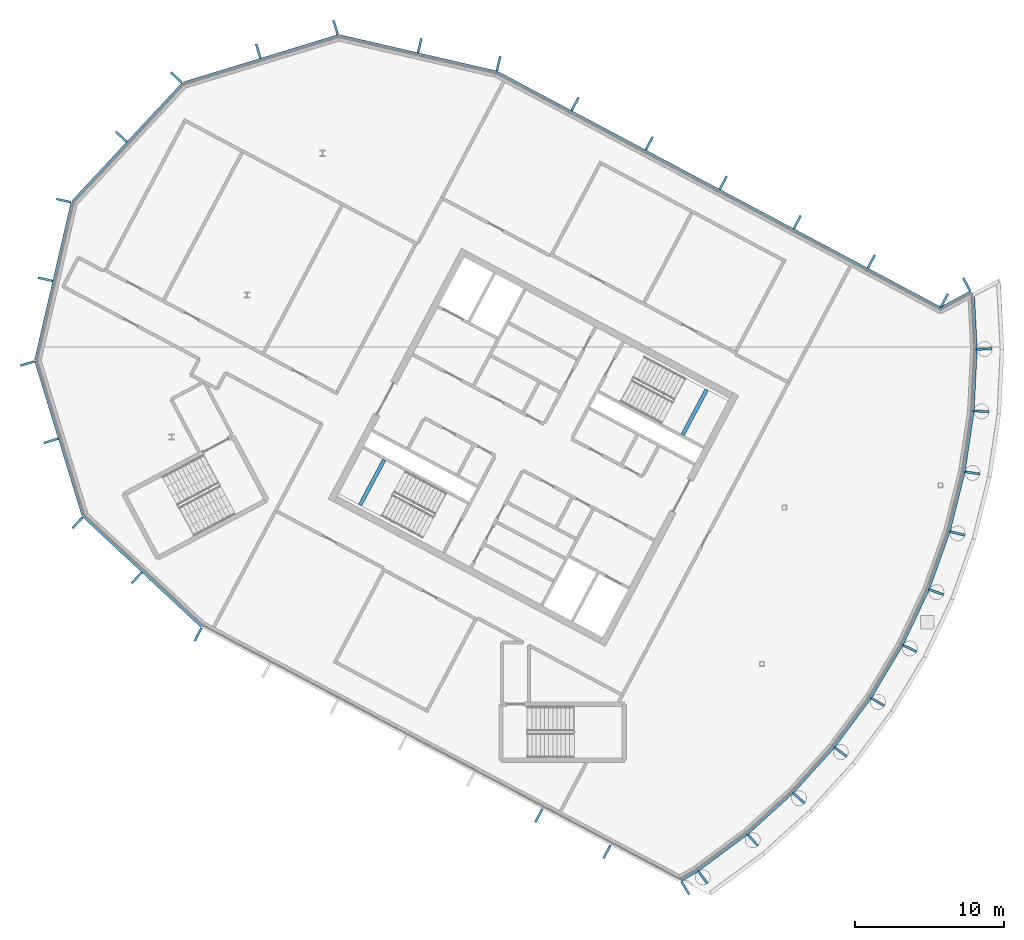
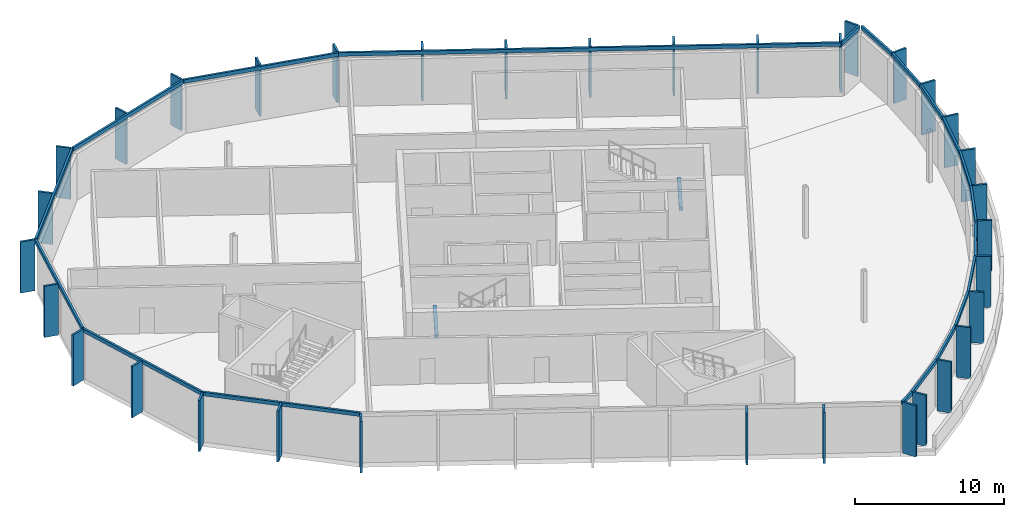
# One storey, part 4 of 15: 54 members, 2 beams, 21 elements without a shape of their own.
"""IFC4 building model written with IfcOpenShell, lengths in metres."""

from ifc_helpers import new_model, si_unit, direction, frame, origin, origin_2d, place, context, subcontext, project, spatial, rectangle, extrude, material, layer, layer_set, material_profile, profile_set, type_object, element, aggregate, save


model = new_model("IFC4")

# Units and contexts
model_context = context("Model", 3, precision=1e-05, world=origin(), true_north=direction((0.0, 1.0)))
body_context = subcontext(model_context, "Body", "Model", "MODEL_VIEW")
ifc_project = project(units=[si_unit("LENGTHUNIT", "METRE"), si_unit("AREAUNIT", "SQUARE_METRE"), si_unit("VOLUMEUNIT", "CUBIC_METRE"), si_unit("PLANEANGLEUNIT", "RADIAN"), si_unit("MASSUNIT", "GRAM", prefix="KILO")], contexts=[model_context])

# Site, building, storey
site_placement = place(None, origin())
site = spatial("IfcSite", under=ifc_project, at=site_placement, CompositionType="ELEMENT")
building_placement = place(site_placement, origin())
building = spatial("IfcBuilding", under=site, at=building_placement, Name="Cormorant Relay Tower", CompositionType="ELEMENT")
storey_placement = place(building_placement, frame((0.0, 0.0, 336.60009765625)))
storey = spatial("IfcBuildingStorey", under=building, at=storey_placement, Name="C3", CompositionType="ELEMENT", Elevation=336.60009765625)

# Curtain wall, members
ifc_material_1 = material(Name="Aluminium 6063-T6 anodised bronze", Category="aluminium")
ifc_layer = layer(ifc_material_1, 0.199951171875)
ifc_layer_set = layer_set([ifc_layer], Name="CW3 crown screen wall")
curtain_wall_type = type_object("IfcCurtainWallType", Name="CW3 crown screen wall", PredefinedType="NOTDEFINED", material=ifc_layer_set)
curtain_wall_1_placement = place(storey_placement, origin())
curtain_wall_1 = element("IfcCurtainWall", 1, at=curtain_wall_1_placement, inside=storey, type_object=curtain_wall_type, Name="CW3 curtain wall 1", PredefinedType="NOTDEFINED")
ifc_material_2 = material(Name="Aluminium 6063-T6 anodised bronze", Category="aluminium")
ifc_material_profile_1 = material_profile(ifc_material_2, rectangle(XDim=0.14990234375, YDim=1.0, at=origin_2d()), Name="AL 150x1000")
ifc_profile_set_1 = profile_set([ifc_material_profile_1], Name="Aluminium 6063-T6 anodised bronze")
member_type_1 = type_object("IfcMemberType", Name="CW3 bronze fin mullion 150 x 1000", PredefinedType="MULLION", material=ifc_profile_set_1)
member_1_placement = place(storey_placement, frame((-49.920166015625, 1.96630859375, 0.0), z_axis=(0.0, 0.0, 1.0), x_axis=(0.882947592859, -0.469471562786, 0.0)))
member_1 = element("IfcMember", 2, at=member_1_placement, type_object=member_type_1, Name="CW3 fin 1.1", PredefinedType="MULLION", context=body_context, shape_type="SweptSolid", body=[
    extrude(rectangle(XDim=0.14990234375, YDim=1.0, at=origin_2d()), origin(), (0.0, 0.0, 1.0), 4.199951171875),
])
member_2_placement = place(storey_placement, frame((-27.012451171875, -10.214111328125, 0.0), z_axis=(0.0, 0.0, 1.0), x_axis=(0.882947592859, -0.469471562786, 0.0)))
member_2 = element("IfcMember", 3, at=member_2_placement, type_object=member_type_1, Name="CW3 fin 1.6", PredefinedType="MULLION", context=body_context, shape_type="SweptSolid", body=[
    extrude(rectangle(XDim=0.14990234375, YDim=1.0, at=origin_2d()), origin(), (0.0, 0.0, 1.0), 4.199951171875),
])
member_3_placement = place(storey_placement, frame((-22.430908203125, -12.64990234375, 0.0), z_axis=(0.0, 0.0, 1.0), x_axis=(0.882947592859, -0.469471562786, 0.0)))
member_3 = element("IfcMember", 4, at=member_3_placement, type_object=member_type_1, Name="CW3 fin 1.7", PredefinedType="MULLION", context=body_context, shape_type="SweptSolid", body=[
    extrude(rectangle(XDim=0.14990234375, YDim=1.0, at=origin_2d()), origin(), (0.0, 0.0, 1.0), 4.199951171875),
])
aggregate(curtain_wall_1, [member_1, member_2, member_3])

# Curtain wall, member
curtain_wall_2_placement = place(storey_placement, origin())
curtain_wall_2 = element("IfcCurtainWall", 5, at=curtain_wall_2_placement, inside=storey, type_object=curtain_wall_type, Name="CW3 curtain wall 2", PredefinedType="NOTDEFINED")
member_4_placement = place(storey_placement, frame((-17.160888671875, -15.068359375, 0.0), z_axis=(0.0, 0.0, 1.0), x_axis=(0.85772861, 0.514102744193, 0.0)))
member_4 = element("IfcMember", 6, at=member_4_placement, type_object=member_type_1, Name="CW3 fin 2.1", PredefinedType="MULLION", context=body_context, shape_type="SweptSolid", body=[
    extrude(rectangle(XDim=0.14990234375, YDim=1.0, at=origin_2d()), origin(), (0.0, 0.0, 1.0), 4.199951171875),
])

curtain_wall_3_placement = place(storey_placement, origin())
curtain_wall_3 = element("IfcCurtainWall", 7, at=curtain_wall_3_placement, inside=storey, type_object=curtain_wall_type, Name="CW3 curtain wall 3", PredefinedType="NOTDEFINED")
member_5_placement = place(storey_placement, frame((-15.981689453125, -14.357666015625, 0.0), z_axis=(0.0, 0.0, 1.0), x_axis=(0.803207531481, 0.595699304492, 0.0)))
member_5 = element("IfcMember", 8, at=member_5_placement, type_object=member_type_1, Name="CW3 fin 3.1", PredefinedType="MULLION", context=body_context, shape_type="SweptSolid", body=[
    extrude(rectangle(XDim=0.14990234375, YDim=1.0, at=origin_2d()), origin(), (0.0, 0.0, 1.0), 4.199951171875),
])

curtain_wall_4_placement = place(storey_placement, origin())
curtain_wall_4 = element("IfcCurtainWall", 9, at=curtain_wall_4_placement, inside=storey, type_object=curtain_wall_type, Name="CW3 curtain wall 4", PredefinedType="NOTDEFINED")
member_6_placement = place(storey_placement, frame((-12.617919921875, -11.85888671875, 0.0), z_axis=(0.0, 0.0, 1.0), x_axis=(0.740951125355, 0.671558954847, 0.0)))
member_6 = element("IfcMember", 10, at=member_6_placement, type_object=member_type_1, Name="CW3 fin 4.1", PredefinedType="MULLION", context=body_context, shape_type="SweptSolid", body=[
    extrude(rectangle(XDim=0.14990234375, YDim=1.0, at=origin_2d()), origin(), (0.0, 0.0, 1.0), 4.199951171875),
])

curtain_wall_5_placement = place(storey_placement, origin())
curtain_wall_5 = element("IfcCurtainWall", 11, at=curtain_wall_5_placement, inside=storey, type_object=curtain_wall_type, Name="CW3 curtain wall 5", PredefinedType="NOTDEFINED")
member_7_placement = place(storey_placement, frame((-9.515380859375, -9.04248046875, 0.0), z_axis=(0.0, 0.0, 1.0), x_axis=(0.671558954847, 0.740951125355, 0.0)))
member_7 = element("IfcMember", 12, at=member_7_placement, type_object=member_type_1, Name="CW3 fin 5.1", PredefinedType="MULLION", context=body_context, shape_type="SweptSolid", body=[
    extrude(rectangle(XDim=0.14990234375, YDim=1.0, at=origin_2d()), origin(), (0.0, 0.0, 1.0), 4.199951171875),
])

curtain_wall_6_placement = place(storey_placement, origin())
curtain_wall_6 = element("IfcCurtainWall", 13, at=curtain_wall_6_placement, inside=storey, type_object=curtain_wall_type, Name="CW3 curtain wall 6", PredefinedType="NOTDEFINED")
member_8_placement = place(storey_placement, frame((-6.7041015625, -5.935302734375, 0.0), z_axis=(0.0, 0.0, 1.0), x_axis=(0.595699304492, 0.803207531481, 0.0)))
member_8 = element("IfcMember", 14, at=member_8_placement, type_object=member_type_1, Name="CW3 fin 6.1", PredefinedType="MULLION", context=body_context, shape_type="SweptSolid", body=[
    extrude(rectangle(XDim=0.14990234375, YDim=1.0, at=origin_2d()), origin(), (0.0, 0.0, 1.0), 4.199951171875),
])

curtain_wall_7_placement = place(storey_placement, origin())
curtain_wall_7 = element("IfcCurtainWall", 15, at=curtain_wall_7_placement, inside=storey, type_object=curtain_wall_type, Name="CW3 curtain wall 7", PredefinedType="NOTDEFINED")
member_9_placement = place(storey_placement, frame((-4.21044921875, -2.567626953125, 0.0), z_axis=(0.0, 0.0, 1.0), x_axis=(0.514102744193, 0.85772861, 0.0)))
member_9 = element("IfcMember", 16, at=member_9_placement, type_object=member_type_1, Name="CW3 fin 7.1", PredefinedType="MULLION", context=body_context, shape_type="SweptSolid", body=[
    extrude(rectangle(XDim=0.14990234375, YDim=1.0, at=origin_2d()), origin(), (0.0, 0.0, 1.0), 4.199951171875),
])

curtain_wall_8_placement = place(storey_placement, origin())
curtain_wall_8 = element("IfcCurtainWall", 17, at=curtain_wall_8_placement, inside=storey, type_object=curtain_wall_type, Name="CW3 curtain wall 8", PredefinedType="NOTDEFINED")
member_10_placement = place(storey_placement, frame((-2.05908203125, 1.0283203125, 0.0), z_axis=(0.0, 0.0, 1.0), x_axis=(0.42755509343, 0.903989293123, 0.0)))
member_10 = element("IfcMember", 18, at=member_10_placement, type_object=member_type_1, Name="CW3 fin 8.1", PredefinedType="MULLION", context=body_context, shape_type="SweptSolid", body=[
    extrude(rectangle(XDim=0.14990234375, YDim=1.0, at=origin_2d()), origin(), (0.0, 0.0, 1.0), 4.199951171875),
])

curtain_wall_9_placement = place(storey_placement, origin())
curtain_wall_9 = element("IfcCurtainWall", 19, at=curtain_wall_9_placement, inside=storey, type_object=curtain_wall_type, Name="CW3 curtain wall 9", PredefinedType="NOTDEFINED")
member_11_placement = place(storey_placement, frame((-0.2705078125, 4.817626953125, 0.0), z_axis=(0.0, 0.0, 1.0), x_axis=(0.336889853392, 0.941544065183, 0.0)))
member_11 = element("IfcMember", 20, at=member_11_placement, type_object=member_type_1, Name="CW3 fin 9.1", PredefinedType="MULLION", context=body_context, shape_type="SweptSolid", body=[
    extrude(rectangle(XDim=0.14990234375, YDim=1.0, at=origin_2d()), origin(), (0.0, 0.0, 1.0), 4.199951171875),
])

curtain_wall_10_placement = place(storey_placement, origin())
curtain_wall_10 = element("IfcCurtainWall", 21, at=curtain_wall_10_placement, inside=storey, type_object=curtain_wall_type, Name="CW3 curtain wall 10", PredefinedType="NOTDEFINED")
member_12_placement = place(storey_placement, frame((1.137939453125, 8.76416015625, 0.0), z_axis=(0.0, 0.0, 1.0), x_axis=(0.242980179903, 0.970031253195, 0.0)))
member_12 = element("IfcMember", 22, at=member_12_placement, type_object=member_type_1, Name="CW3 fin 10.1", PredefinedType="MULLION", context=body_context, shape_type="SweptSolid", body=[
    extrude(rectangle(XDim=0.14990234375, YDim=1.0, at=origin_2d()), origin(), (0.0, 0.0, 1.0), 4.199951171875),
])

curtain_wall_11_placement = place(storey_placement, origin())
curtain_wall_11 = element("IfcCurtainWall", 23, at=curtain_wall_11_placement, inside=storey, type_object=curtain_wall_type, Name="CW3 curtain wall 11", PredefinedType="NOTDEFINED")
member_13_placement = place(storey_placement, frame((2.15283203125, 12.82958984375, 0.0), z_axis=(0.0, 0.0, 1.0), x_axis=(0.146730474455, 0.989176509965, 0.0)))
member_13 = element("IfcMember", 24, at=member_13_placement, type_object=member_type_1, Name="CW3 fin 11.1", PredefinedType="MULLION", context=body_context, shape_type="SweptSolid", body=[
    extrude(rectangle(XDim=0.14990234375, YDim=1.0, at=origin_2d()), origin(), (0.0, 0.0, 1.0), 4.199951171875),
])

curtain_wall_12_placement = place(storey_placement, origin())
curtain_wall_12 = element("IfcCurtainWall", 25, at=curtain_wall_12_placement, inside=storey, type_object=curtain_wall_type, Name="CW3 curtain wall 12", PredefinedType="NOTDEFINED")
member_14_placement = place(storey_placement, frame((2.764404296875, 16.97509765625, 0.0), z_axis=(0.0, 0.0, 1.0), x_axis=(0.049067674327, 0.998795456205, 0.0)))
member_14 = element("IfcMember", 26, at=member_14_placement, type_object=member_type_1, Name="CW3 fin 12.1", PredefinedType="MULLION", context=body_context, shape_type="SweptSolid", body=[
    extrude(rectangle(XDim=0.14990234375, YDim=1.0, at=origin_2d()), origin(), (0.0, 0.0, 1.0), 4.199951171875),
])

curtain_wall_13_placement = place(storey_placement, origin())
curtain_wall_13 = element("IfcCurtainWall", 27, at=curtain_wall_13_placement, inside=storey, type_object=curtain_wall_type, Name="CW3 curtain wall 13", PredefinedType="NOTDEFINED")
member_15_placement = place(storey_placement, frame((2.966552734375, 21.16064453125, 0.0), z_axis=(0.0, 0.0, 1.0), x_axis=(-0.049067674327, 0.998795456205, 0.0)))
member_15 = element("IfcMember", 28, at=member_15_placement, type_object=member_type_1, Name="CW3 fin 13.1", PredefinedType="MULLION", context=body_context, shape_type="SweptSolid", body=[
    extrude(rectangle(XDim=0.14990234375, YDim=1.0, at=origin_2d()), origin(), (0.0, 0.0, 1.0), 4.199951171875),
])

curtain_wall_14_placement = place(storey_placement, origin())
curtain_wall_14 = element("IfcCurtainWall", 29, at=curtain_wall_14_placement, inside=storey, type_object=curtain_wall_type, Name="CW3 curtain wall 14", PredefinedType="NOTDEFINED")
member_16_placement = place(storey_placement, frame((1.75390625, 25.50927734375, 0.0), z_axis=(0.0, 0.0, 1.0), x_axis=(-0.882947592859, -0.469471562786, 0.0)))
member_16 = element("IfcMember", 30, at=member_16_placement, type_object=member_type_1, Name="CW3 fin 14.1", PredefinedType="MULLION", context=body_context, shape_type="SweptSolid", body=[
    extrude(rectangle(XDim=0.14990234375, YDim=1.0, at=origin_2d()), origin(), (0.0, 0.0, 1.0), 4.199951171875),
])

# Curtain wall, members
curtain_wall_15_placement = place(storey_placement, origin())
curtain_wall_15 = element("IfcCurtainWall", 31, at=curtain_wall_15_placement, inside=storey, type_object=curtain_wall_type, Name="CW3 curtain wall 15", PredefinedType="NOTDEFINED")
member_17_placement = place(storey_placement, frame((0.262451171875, 24.437255859375, 0.0), z_axis=(0.0, 0.0, 1.0), x_axis=(-0.882947592859, 0.469471562786, 0.0)))
member_17 = element("IfcMember", 32, at=member_17_placement, type_object=member_type_1, Name="CW3 fin 15.1", PredefinedType="MULLION", context=body_context, shape_type="SweptSolid", body=[
    extrude(rectangle(XDim=0.14990234375, YDim=1.0, at=origin_2d()), origin(), (0.0, 0.0, 1.0), 4.199951171875),
])
member_18_placement = place(storey_placement, frame((-4.650390625, 27.04931640625, 0.0), z_axis=(0.0, 0.0, 1.0), x_axis=(-0.882947592859, 0.469471562786, 0.0)))
member_18 = element("IfcMember", 33, at=member_18_placement, type_object=member_type_1, Name="CW3 fin 15.2", PredefinedType="MULLION", context=body_context, shape_type="SweptSolid", body=[
    extrude(rectangle(XDim=0.14990234375, YDim=1.0, at=origin_2d()), origin(), (0.0, 0.0, 1.0), 4.199951171875),
])
member_19_placement = place(storey_placement, frame((-9.62939453125, 29.69677734375, 0.0), z_axis=(0.0, 0.0, 1.0), x_axis=(-0.882947592859, 0.469471562786, 0.0)))
member_19 = element("IfcMember", 34, at=member_19_placement, type_object=member_type_1, Name="CW3 fin 15.3", PredefinedType="MULLION", context=body_context, shape_type="SweptSolid", body=[
    extrude(rectangle(XDim=0.14990234375, YDim=1.0, at=origin_2d()), origin(), (0.0, 0.0, 1.0), 4.199951171875),
])
member_20_placement = place(storey_placement, frame((-14.608154296875, 32.343994140625, 0.0), z_axis=(0.0, 0.0, 1.0), x_axis=(-0.882947592859, 0.469471562786, 0.0)))
member_20 = element("IfcMember", 35, at=member_20_placement, type_object=member_type_1, Name="CW3 fin 15.4", PredefinedType="MULLION", context=body_context, shape_type="SweptSolid", body=[
    extrude(rectangle(XDim=0.14990234375, YDim=1.0, at=origin_2d()), origin(), (0.0, 0.0, 1.0), 4.199951171875),
])
member_21_placement = place(storey_placement, frame((-19.587158203125, 34.991455078125, 0.0), z_axis=(0.0, 0.0, 1.0), x_axis=(-0.882947592859, 0.469471562786, 0.0)))
member_21 = element("IfcMember", 36, at=member_21_placement, type_object=member_type_1, Name="CW3 fin 15.5", PredefinedType="MULLION", context=body_context, shape_type="SweptSolid", body=[
    extrude(rectangle(XDim=0.14990234375, YDim=1.0, at=origin_2d()), origin(), (0.0, 0.0, 1.0), 4.199951171875),
])
member_22_placement = place(storey_placement, frame((-24.566162109375, 37.638916015625, 0.0), z_axis=(0.0, 0.0, 1.0), x_axis=(-0.882947592859, 0.469471562786, 0.0)))
member_22 = element("IfcMember", 37, at=member_22_placement, type_object=member_type_1, Name="CW3 fin 15.6", PredefinedType="MULLION", context=body_context, shape_type="SweptSolid", body=[
    extrude(rectangle(XDim=0.14990234375, YDim=1.0, at=origin_2d()), origin(), (0.0, 0.0, 1.0), 4.199951171875),
])

curtain_wall_16_placement = place(storey_placement, origin())
curtain_wall_16 = element("IfcCurtainWall", 38, at=curtain_wall_16_placement, inside=storey, type_object=curtain_wall_type, Name="CW3 curtain wall 16", PredefinedType="NOTDEFINED")
member_23_placement = place(storey_placement, frame((-29.71630859375, 40.35009765625, 0.0), z_axis=(0.0, 0.0, 1.0), x_axis=(-0.974370064785, 0.224951054344, 0.0)))
member_23 = element("IfcMember", 39, at=member_23_placement, type_object=member_type_1, Name="CW3 fin 16.1", PredefinedType="MULLION", context=body_context, shape_type="SweptSolid", body=[
    extrude(rectangle(XDim=0.14990234375, YDim=1.0, at=origin_2d()), origin(), (0.0, 0.0, 1.0), 4.199951171875),
])
member_24_placement = place(storey_placement, frame((-35.01220703125, 41.57275390625, 0.0), z_axis=(0.0, 0.0, 1.0), x_axis=(-0.974370064785, 0.224951054344, 0.0)))
member_24 = element("IfcMember", 40, at=member_24_placement, type_object=member_type_1, Name="CW3 fin 16.2", PredefinedType="MULLION", context=body_context, shape_type="SweptSolid", body=[
    extrude(rectangle(XDim=0.14990234375, YDim=1.0, at=origin_2d()), origin(), (0.0, 0.0, 1.0), 4.199951171875),
])

curtain_wall_17_placement = place(storey_placement, origin())
curtain_wall_17 = element("IfcCurtainWall", 41, at=curtain_wall_17_placement, inside=storey, type_object=curtain_wall_type, Name="CW3 curtain wall 17", PredefinedType="NOTDEFINED")
member_25_placement = place(storey_placement, frame((-40.670166015625, 42.78271484375, 0.0), z_axis=(0.0, 0.0, 1.0), x_axis=(-0.956304755963, -0.292371704723, 0.0)))
member_25 = element("IfcMember", 42, at=member_25_placement, type_object=member_type_1, Name="CW3 fin 17.1", PredefinedType="MULLION", context=body_context, shape_type="SweptSolid", body=[
    extrude(rectangle(XDim=0.14990234375, YDim=1.0, at=origin_2d()), origin(), (0.0, 0.0, 1.0), 4.199951171875),
])
member_26_placement = place(storey_placement, frame((-45.867919921875, 41.193603515625, 0.0), z_axis=(0.0, 0.0, 1.0), x_axis=(-0.956304755963, -0.292371704723, 0.0)))
member_26 = element("IfcMember", 43, at=member_26_placement, type_object=member_type_1, Name="CW3 fin 17.2", PredefinedType="MULLION", context=body_context, shape_type="SweptSolid", body=[
    extrude(rectangle(XDim=0.14990234375, YDim=1.0, at=origin_2d()), origin(), (0.0, 0.0, 1.0), 4.199951171875),
])

curtain_wall_18_placement = place(storey_placement, origin())
curtain_wall_18 = element("IfcCurtainWall", 44, at=curtain_wall_18_placement, inside=storey, type_object=curtain_wall_type, Name="CW3 curtain wall 18", PredefinedType="NOTDEFINED")
member_27_placement = place(storey_placement, frame((-51.372802734375, 39.41259765625, 0.0), z_axis=(0.0, 0.0, 1.0), x_axis=(-0.681998360062, -0.731353701619, 0.0)))
member_27 = element("IfcMember", 45, at=member_27_placement, type_object=member_type_1, Name="CW3 fin 18.1", PredefinedType="MULLION", context=body_context, shape_type="SweptSolid", body=[
    extrude(rectangle(XDim=0.14990234375, YDim=1.0, at=origin_2d()), origin(), (0.0, 0.0, 1.0), 4.199951171875),
])
member_28_placement = place(storey_placement, frame((-55.07958984375, 35.4375, 0.0), z_axis=(0.0, 0.0, 1.0), x_axis=(-0.681998360062, -0.731353701619, 0.0)))
member_28 = element("IfcMember", 46, at=member_28_placement, type_object=member_type_1, Name="CW3 fin 18.2", PredefinedType="MULLION", context=body_context, shape_type="SweptSolid", body=[
    extrude(rectangle(XDim=0.14990234375, YDim=1.0, at=origin_2d()), origin(), (0.0, 0.0, 1.0), 4.199951171875),
])

curtain_wall_19_placement = place(storey_placement, origin())
curtain_wall_19 = element("IfcCurtainWall", 47, at=curtain_wall_19_placement, inside=storey, type_object=curtain_wall_type, Name="CW3 curtain wall 19", PredefinedType="NOTDEFINED")
member_29_placement = place(storey_placement, frame((-58.95654296875, 31.142578125, 0.0), z_axis=(0.0, 0.0, 1.0), x_axis=(-0.224951054344, -0.974370064785, 0.0)))
member_29 = element("IfcMember", 48, at=member_29_placement, type_object=member_type_1, Name="CW3 fin 19.1", PredefinedType="MULLION", context=body_context, shape_type="SweptSolid", body=[
    extrude(rectangle(XDim=0.14990234375, YDim=1.0, at=origin_2d()), origin(), (0.0, 0.0, 1.0), 4.199951171875),
])
member_30_placement = place(storey_placement, frame((-60.17919921875, 25.8466796875, 0.0), z_axis=(0.0, 0.0, 1.0), x_axis=(-0.224951054344, -0.974370064785, 0.0)))
member_30 = element("IfcMember", 49, at=member_30_placement, type_object=member_type_1, Name="CW3 fin 19.2", PredefinedType="MULLION", context=body_context, shape_type="SweptSolid", body=[
    extrude(rectangle(XDim=0.14990234375, YDim=1.0, at=origin_2d()), origin(), (0.0, 0.0, 1.0), 4.199951171875),
])

curtain_wall_20_placement = place(storey_placement, origin())
curtain_wall_20 = element("IfcCurtainWall", 50, at=curtain_wall_20_placement, inside=storey, type_object=curtain_wall_type, Name="CW3 curtain wall 20", PredefinedType="NOTDEFINED")
member_31_placement = place(storey_placement, frame((-61.389404296875, 20.188720703125, 0.0), z_axis=(0.0, 0.0, 1.0), x_axis=(0.292371704723, -0.956304755963, 0.0)))
member_31 = element("IfcMember", 51, at=member_31_placement, type_object=member_type_1, Name="CW3 fin 20.1", PredefinedType="MULLION", context=body_context, shape_type="SweptSolid", body=[
    extrude(rectangle(XDim=0.14990234375, YDim=1.0, at=origin_2d()), origin(), (0.0, 0.0, 1.0), 4.199951171875),
])
member_32_placement = place(storey_placement, frame((-59.80029296875, 14.990966796875, 0.0), z_axis=(0.0, 0.0, 1.0), x_axis=(0.292371704723, -0.956304755963, 0.0)))
member_32 = element("IfcMember", 52, at=member_32_placement, type_object=member_type_1, Name="CW3 fin 20.2", PredefinedType="MULLION", context=body_context, shape_type="SweptSolid", body=[
    extrude(rectangle(XDim=0.14990234375, YDim=1.0, at=origin_2d()), origin(), (0.0, 0.0, 1.0), 4.199951171875),
])

curtain_wall_21_placement = place(storey_placement, origin())
curtain_wall_21 = element("IfcCurtainWall", 53, at=curtain_wall_21_placement, inside=storey, type_object=curtain_wall_type, Name="CW3 curtain wall 21", PredefinedType="NOTDEFINED")
member_33_placement = place(storey_placement, frame((-58.01904296875, 9.486083984375, 0.0), z_axis=(0.0, 0.0, 1.0), x_axis=(0.731353701619, -0.681998360062, 0.0)))
member_33 = element("IfcMember", 54, at=member_33_placement, type_object=member_type_1, Name="CW3 fin 21.1", PredefinedType="MULLION", context=body_context, shape_type="SweptSolid", body=[
    extrude(rectangle(XDim=0.14990234375, YDim=1.0, at=origin_2d()), origin(), (0.0, 0.0, 1.0), 4.199951171875),
])
member_34_placement = place(storey_placement, frame((-54.0439453125, 5.779296875, 0.0), z_axis=(0.0, 0.0, 1.0), x_axis=(0.731353701619, -0.681998360062, 0.0)))
member_34 = element("IfcMember", 55, at=member_34_placement, type_object=member_type_1, Name="CW3 fin 21.2", PredefinedType="MULLION", context=body_context, shape_type="SweptSolid", body=[
    extrude(rectangle(XDim=0.14990234375, YDim=1.0, at=origin_2d()), origin(), (0.0, 0.0, 1.0), 4.199951171875),
])

# Member
ifc_material_3 = material(Name="Aluminium 6063-T6 anodised bronze", Category="aluminium")
ifc_material_profile_2 = material_profile(ifc_material_3, rectangle(XDim=0.159912109375, YDim=0.300048828125, at=origin_2d()), Name="AL 160x300")
ifc_profile_set_2 = profile_set([ifc_material_profile_2], Name="Aluminium 6063-T6 anodised bronze")
member_type_2 = type_object("IfcMemberType", Name="CW3 bronze transom 160 x 300", PredefinedType="USERDEFINED", material=ifc_profile_set_2)
member_35_placement = place(storey_placement, frame((-17.458984375, -14.571044921875, 4.0498046875), z_axis=(0.857706915958, 0.514138936785, 0.0), x_axis=(-0.514138936785, 0.857706915958, 0.0)))
member_35 = element("IfcMember", 56, at=member_35_placement, type_object=member_type_2, Name="CW3 transom 2", ObjectType="TRANSOM", PredefinedType="USERDEFINED", context=body_context, shape_type="SweptSolid", body=[
    extrude(rectangle(XDim=0.159912109375, YDim=0.300048828125, at=origin_2d()), origin(), (0.0, 0.0, 1.0), 1.30810546875),
])

aggregate(curtain_wall_2, [member_4, member_35])

member_36_placement = place(storey_placement, frame((-16.3271484375, -13.891845703125, 4.0498046875), z_axis=(0.803201336243, 0.595707657713, 0.0), x_axis=(-0.595707657713, 0.803201336243, 0.0)))
member_36 = element("IfcMember", 57, at=member_36_placement, type_object=member_type_2, Name="CW3 transom 3", ObjectType="TRANSOM", PredefinedType="USERDEFINED", context=body_context, shape_type="SweptSolid", body=[
    extrude(rectangle(XDim=0.159912109375, YDim=0.300048828125, at=origin_2d()), origin(), (0.0, 0.0, 1.0), 4.12158203125),
])

aggregate(curtain_wall_3, [member_5, member_36])

member_37_placement = place(storey_placement, frame((-13.007568359375, -11.42919921875, 4.0498046875), z_axis=(0.740936292251, 0.671575320292, 0.0), x_axis=(-0.671575320292, 0.740936292251, 0.0)))
member_37 = element("IfcMember", 58, at=member_37_placement, type_object=member_type_2, Name="CW3 transom 4", ObjectType="TRANSOM", PredefinedType="USERDEFINED", context=body_context, shape_type="SweptSolid", body=[
    extrude(rectangle(XDim=0.159912109375, YDim=0.300048828125, at=origin_2d()), origin(), (0.0, 0.0, 1.0), 4.121826171875),
])

aggregate(curtain_wall_4, [member_6, member_37])

member_38_placement = place(storey_placement, frame((-9.9453125, -8.65283203125, 4.0498046875), z_axis=(0.671575320292, 0.740936292251, 0.0), x_axis=(-0.740936292251, 0.671575320292, 0.0)))
member_38 = element("IfcMember", 59, at=member_38_placement, type_object=member_type_2, Name="CW3 transom 5", ObjectType="TRANSOM", PredefinedType="USERDEFINED", context=body_context, shape_type="SweptSolid", body=[
    extrude(rectangle(XDim=0.159912109375, YDim=0.300048828125, at=origin_2d()), origin(), (0.0, 0.0, 1.0), 4.121826171875),
])

aggregate(curtain_wall_5, [member_7, member_38])

member_39_placement = place(storey_placement, frame((-7.169921875, -5.58984375, 4.0498046875), z_axis=(0.595707657713, 0.803201336243, 0.0), x_axis=(-0.803201336243, 0.595707657713, 0.0)))
member_39 = element("IfcMember", 60, at=member_39_placement, type_object=member_type_2, Name="CW3 transom 6", ObjectType="TRANSOM", PredefinedType="USERDEFINED", context=body_context, shape_type="SweptSolid", body=[
    extrude(rectangle(XDim=0.159912109375, YDim=0.300048828125, at=origin_2d()), origin(), (0.0, 0.0, 1.0), 4.12158203125),
])

aggregate(curtain_wall_6, [member_8, member_39])

member_40_placement = place(storey_placement, frame((-4.7080078125, -2.269287109375, 4.0498046875), z_axis=(0.514103702951, 0.857728035342, 0.0), x_axis=(-0.857728035342, 0.514103702951, 0.0)))
member_40 = element("IfcMember", 61, at=member_40_placement, type_object=member_type_2, Name="CW3 transom 7", ObjectType="TRANSOM", PredefinedType="USERDEFINED", context=body_context, shape_type="SweptSolid", body=[
    extrude(rectangle(XDim=0.159912109375, YDim=0.300048828125, at=origin_2d()), origin(), (0.0, 0.0, 1.0), 4.12158203125),
])

aggregate(curtain_wall_7, [member_9, member_40])

member_41_placement = place(storey_placement, frame((-2.58349609375, 1.2763671875, 4.0498046875), z_axis=(0.427559186465, 0.903987357251, 0.0), x_axis=(-0.903987357251, 0.427559186465, 0.0)))
member_41 = element("IfcMember", 62, at=member_41_placement, type_object=member_type_2, Name="CW3 transom 8", ObjectType="TRANSOM", PredefinedType="USERDEFINED", context=body_context, shape_type="SweptSolid", body=[
    extrude(rectangle(XDim=0.159912109375, YDim=0.300048828125, at=origin_2d()), origin(), (0.0, 0.0, 1.0), 4.12158203125),
])

aggregate(curtain_wall_8, [member_10, member_41])

member_42_placement = place(storey_placement, frame((-0.816650390625, 5.01318359375, 4.0498046875), z_axis=(0.336872947389, 0.941550114076, 0.0), x_axis=(-0.941550114076, 0.336872947389, 0.0)))
member_42 = element("IfcMember", 63, at=member_42_placement, type_object=member_type_2, Name="CW3 transom 9", ObjectType="TRANSOM", PredefinedType="USERDEFINED", context=body_context, shape_type="SweptSolid", body=[
    extrude(rectangle(XDim=0.159912109375, YDim=0.300048828125, at=origin_2d()), origin(), (0.0, 0.0, 1.0), 4.12158203125),
])

aggregate(curtain_wall_9, [member_11, member_42])

member_43_placement = place(storey_placement, frame((0.5751953125, 8.905029296875, 4.0498046875), z_axis=(0.242967642568, 0.970034393548, 0.0), x_axis=(-0.970034393548, 0.242967642568, 0.0)))
member_43 = element("IfcMember", 64, at=member_43_placement, type_object=member_type_2, Name="CW3 transom 10", ObjectType="TRANSOM", PredefinedType="USERDEFINED", context=body_context, shape_type="SweptSolid", body=[
    extrude(rectangle(XDim=0.159912109375, YDim=0.300048828125, at=origin_2d()), origin(), (0.0, 0.0, 1.0), 4.121826171875),
])

aggregate(curtain_wall_10, [member_12, member_43])

member_44_placement = place(storey_placement, frame((1.5791015625, 12.914794921875, 4.0498046875), z_axis=(0.146718245992, 0.989178323809, 0.0), x_axis=(-0.989178323809, 0.146718245992, 0.0)))
member_44 = element("IfcMember", 65, at=member_44_placement, type_object=member_type_2, Name="CW3 transom 11", ObjectType="TRANSOM", PredefinedType="USERDEFINED", context=body_context, shape_type="SweptSolid", body=[
    extrude(rectangle(XDim=0.159912109375, YDim=0.300048828125, at=origin_2d()), origin(), (0.0, 0.0, 1.0), 4.121826171875),
])

aggregate(curtain_wall_11, [member_13, member_44])

member_45_placement = place(storey_placement, frame((2.18505859375, 17.003662109375, 4.0498046875), z_axis=(0.04904540052, 0.998796550198, 0.0), x_axis=(-0.998796550198, 0.04904540052, 0.0)))
member_45 = element("IfcMember", 66, at=member_45_placement, type_object=member_type_2, Name="CW3 transom 12", ObjectType="TRANSOM", PredefinedType="USERDEFINED", context=body_context, shape_type="SweptSolid", body=[
    extrude(rectangle(XDim=0.159912109375, YDim=0.300048828125, at=origin_2d()), origin(), (0.0, 0.0, 1.0), 4.12158203125),
])

aggregate(curtain_wall_12, [member_14, member_45])

member_46_placement = place(storey_placement, frame((2.38720703125, 21.132080078125, 4.0498046875), z_axis=(-0.049026694573, 0.998797468569, 0.0), x_axis=(-0.998797468569, -0.049026694573, 0.0)))
member_46 = element("IfcMember", 67, at=member_46_placement, type_object=member_type_2, Name="CW3 transom 13", ObjectType="TRANSOM", PredefinedType="USERDEFINED", context=body_context, shape_type="SweptSolid", body=[
    extrude(rectangle(XDim=0.159912109375, YDim=0.300048828125, at=origin_2d()), origin(), (0.0, 0.0, 1.0), 3.769775390625),
])

aggregate(curtain_wall_13, [member_15, member_46])

member_47_placement = place(storey_placement, frame((2.026123046875, 24.997314453125, 4.0498046875), z_axis=(-0.882925342992, -0.469513406308, 0.0), x_axis=(0.469513406308, -0.882925342992, 0.0)))
member_47 = element("IfcMember", 68, at=member_47_placement, type_object=member_type_2, Name="CW3 transom 14", ObjectType="TRANSOM", PredefinedType="USERDEFINED", context=body_context, shape_type="SweptSolid", body=[
    extrude(rectangle(XDim=0.159912109375, YDim=0.300048828125, at=origin_2d()), origin(), (0.0, 0.0, 1.0), 2.358642578125),
])

aggregate(curtain_wall_14, [member_16, member_47])

member_48_placement = place(storey_placement, frame((0.056396484375, 23.889892578125, 4.0498046875), z_axis=(-0.882946280328, 0.46947403129, 0.0), x_axis=(-0.46947403129, -0.882946280328, 0.0)))
member_48 = element("IfcMember", 69, at=member_48_placement, type_object=member_type_2, Name="CW3 transom 15", ObjectType="TRANSOM", PredefinedType="USERDEFINED", context=body_context, shape_type="SweptSolid", body=[
    extrude(rectangle(XDim=0.159912109375, YDim=0.300048828125, at=origin_2d()), origin(), (0.0, 0.0, 1.0), 33.834228515625),
])

aggregate(curtain_wall_15, [member_17, member_18, member_19, member_20, member_21, member_22, member_48])

member_49_placement = place(storey_placement, frame((-29.8466796875, 39.784912109375, 4.0498046875), z_axis=(-0.974365070969, 0.224972683844, 0.0), x_axis=(-0.224972683844, -0.974365070969, 0.0)))
member_49 = element("IfcMember", 70, at=member_49_placement, type_object=member_type_2, Name="CW3 transom 16", ObjectType="TRANSOM", PredefinedType="USERDEFINED", context=body_context, shape_type="SweptSolid", body=[
    extrude(rectangle(XDim=0.159912109375, YDim=0.300048828125, at=origin_2d()), origin(), (0.0, 0.0, 1.0), 10.870361328125),
])

aggregate(curtain_wall_16, [member_23, member_24, member_49])

member_50_placement = place(storey_placement, frame((-40.50048828125, 42.228271484375, 4.0498046875), z_axis=(-0.956304833932, -0.292371449698, 0.0), x_axis=(0.292371449698, -0.956304833932, 0.0)))
member_50 = element("IfcMember", 71, at=member_50_placement, type_object=member_type_2, Name="CW3 transom 17", ObjectType="TRANSOM", PredefinedType="USERDEFINED", context=body_context, shape_type="SweptSolid", body=[
    extrude(rectangle(XDim=0.159912109375, YDim=0.300048828125, at=origin_2d()), origin(), (0.0, 0.0, 1.0), 10.87060546875),
])

aggregate(curtain_wall_17, [member_25, member_26, member_50])

member_51_placement = place(storey_placement, frame((-50.94873046875, 39.01708984375, 4.0498046875), z_axis=(-0.681993299437, -0.731358420696, 0.0), x_axis=(0.731358420696, -0.681993299437, 0.0)))
member_51 = element("IfcMember", 72, at=member_51_placement, type_object=member_type_2, Name="CW3 transom 18", ObjectType="TRANSOM", PredefinedType="USERDEFINED", context=body_context, shape_type="SweptSolid", body=[
    extrude(rectangle(XDim=0.159912109375, YDim=0.300048828125, at=origin_2d()), origin(), (0.0, 0.0, 1.0), 10.870361328125),
])

aggregate(curtain_wall_18, [member_27, member_28, member_51])

member_52_placement = place(storey_placement, frame((-58.3916015625, 31.01220703125, 4.0498046875), z_axis=(-0.22495136131, -0.974369993916, 0.0), x_axis=(0.974369993916, -0.22495136131, 0.0)))
member_52 = element("IfcMember", 73, at=member_52_placement, type_object=member_type_2, Name="CW3 transom 19", ObjectType="TRANSOM", PredefinedType="USERDEFINED", context=body_context, shape_type="SweptSolid", body=[
    extrude(rectangle(XDim=0.159912109375, YDim=0.300048828125, at=origin_2d()), origin(), (0.0, 0.0, 1.0), 10.870361328125),
])

aggregate(curtain_wall_19, [member_29, member_30, member_52])

member_53_placement = place(storey_placement, frame((-60.834716796875, 20.358154296875, 4.0498046875), z_axis=(0.292377729282, -0.95630291405, 0.0), x_axis=(0.95630291405, 0.292377729282, 0.0)))
member_53 = element("IfcMember", 74, at=member_53_placement, type_object=member_type_2, Name="CW3 transom 20", ObjectType="TRANSOM", PredefinedType="USERDEFINED", context=body_context, shape_type="SweptSolid", body=[
    extrude(rectangle(XDim=0.159912109375, YDim=0.300048828125, at=origin_2d()), origin(), (0.0, 0.0, 1.0), 10.870361328125),
])

aggregate(curtain_wall_20, [member_31, member_32, member_53])

member_54_placement = place(storey_placement, frame((-57.62353515625, 9.91015625, 4.0498046875), z_axis=(0.731358420696, -0.681993299437, 0.0), x_axis=(0.681993299437, 0.731358420696, 0.0)))
member_54 = element("IfcMember", 75, at=member_54_placement, type_object=member_type_2, Name="CW3 transom 21", ObjectType="TRANSOM", PredefinedType="USERDEFINED", context=body_context, shape_type="SweptSolid", body=[
    extrude(rectangle(XDim=0.159912109375, YDim=0.300048828125, at=origin_2d()), origin(), (0.0, 0.0, 1.0), 10.870361328125),
])

aggregate(curtain_wall_21, [member_33, member_34, member_54])

# Beams
ifc_material_4 = material(Name="Concrete 50 MPa", Category="concrete")
ifc_material_profile_3 = material_profile(ifc_material_4, rectangle(XDim=0.25, YDim=0.300048828125, at=origin_2d()), Name="RC 250x300")
ifc_profile_set_3 = profile_set([ifc_material_profile_3], Name="Concrete 50 MPa")
beam_type = type_object("IfcBeamType", Name="Stair landing ledge beam 250x300", PredefinedType="BEAM", material=ifc_profile_set_3)
for number, where, z_axis, x_axis, name in (
    (76, (-17.338623046875, 15.3916015625, 1.75), (0.469463917486, 0.882951657895, 0.0), (-0.882951657895, 0.469463917486, 0.0), "A1 landing ledge beam"),
    (77, (-37.404052734375, 13.715576171875, 1.75), (-0.469463917486, -0.882951657895, 0.0), (0.882951657895, -0.469463917486, 0.0), "A2 landing ledge beam"),
):
    element("IfcBeam", number, at=place(storey_placement, frame(where, z_axis=z_axis, x_axis=x_axis)), inside=storey, type_object=beam_type, Name=name, PredefinedType="BEAM", context=body_context, shape_type="SweptSolid", body=[
        extrude(rectangle(XDim=0.25, YDim=0.300048828125, at=origin_2d()), origin(), (0.0, 0.0, 1.0), 3.449951171875),
    ])

save(model, "model.ifc")
